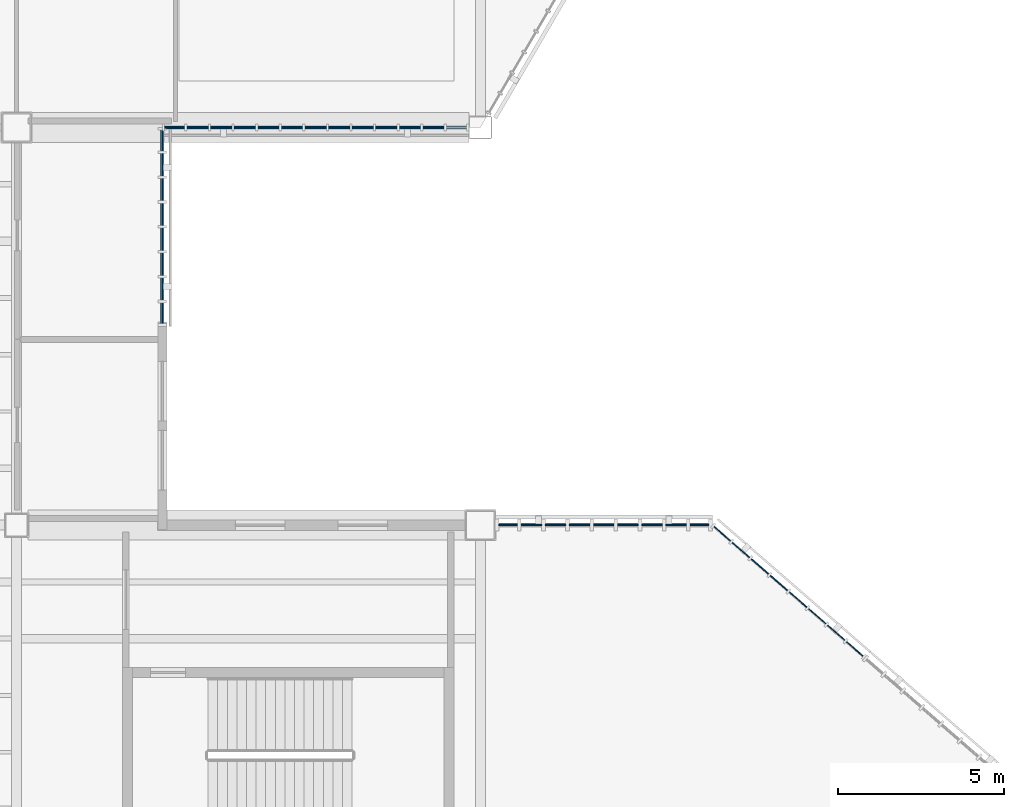
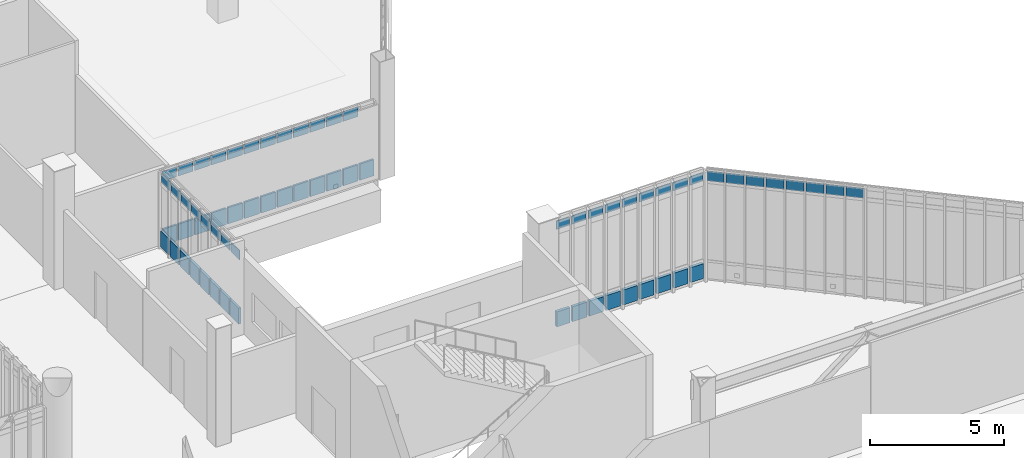
# One storey, part 109 of 135: 67 plates, 4 elements without a shape of their own.
"""IFC4 building model written with IfcOpenShell, lengths in metres."""

from ifc_helpers import new_model, si_unit, direction, frame, origin, origin_2d, place, context, subcontext, project, spatial, rectangle, extrude, material, layer, layer_set, type_object, element, aggregate, save


model = new_model("IFC4")

# Units and contexts
model_context = context("Model", 3, precision=1e-05, world=origin(), true_north=direction((0.0, 1.0)))
body_context = subcontext(model_context, "Body", "Model", "MODEL_VIEW")
ifc_project = project(units=[si_unit("LENGTHUNIT", "METRE"), si_unit("AREAUNIT", "SQUARE_METRE"), si_unit("VOLUMEUNIT", "CUBIC_METRE"), si_unit("PLANEANGLEUNIT", "RADIAN"), si_unit("MASSUNIT", "GRAM", prefix="KILO")], contexts=[model_context])

# Site, building, storey
site_placement = place(None, origin())
site = spatial("IfcSite", under=ifc_project, at=site_placement, CompositionType="ELEMENT")
building_placement = place(site_placement, origin())
building = spatial("IfcBuilding", under=site, at=building_placement, Name="Larkvane Passage Sports Hall", CompositionType="ELEMENT")
storey_placement = place(building_placement, frame((0.0, 0.0, 16.800048828125)))
storey = spatial("IfcBuildingStorey", under=building, at=storey_placement, Name="L03", CompositionType="ELEMENT", Elevation=16.800048828125)

# Curtain wall, plates
ifc_material_1 = material(Name="Thermally broken aluminium and low-E glazing", Category="aluminium")
curtain_wall_type_1 = type_object("IfcCurtainWallType", Name="CW-STICK-FOYER", PredefinedType="USERDEFINED", material=ifc_material_1)
curtain_wall_1_placement = place(storey_placement, origin())
curtain_wall_1 = element("IfcCurtainWall", 1, at=curtain_wall_1_placement, inside=storey, type_object=curtain_wall_type_1, Name="Curtain wall CW5-L03-110", ObjectType="STICK CURTAIN WALL", PredefinedType="USERDEFINED")
ifc_material_2 = material(Name="Fire-stopped shadow-box spandrel panel")
ifc_layer_1 = layer(ifc_material_2, 0.10498046875)
ifc_layer_set_1 = layer_set([ifc_layer_1], Name="Fire-stopped shadow-box spandrel panel")
plate_type_1 = type_object("IfcPlateType", Name="CWP-SPD-105", PredefinedType="CURTAIN_PANEL", material=ifc_layer_set_1)
plate_1_placement = place(storey_placement, frame((136.0, 63.205078125, 0.080078125), z_axis=(0.0, 0.0, 1.0), x_axis=(0.0, -1.0, 0.0)))
plate_1 = element("IfcPlate", 2, at=plate_1_placement, type_object=plate_type_1, Name="CW-03 panel 1.1", PredefinedType="CURTAIN_PANEL", context=body_context, shape_type="SweptSolid", body=[
    extrude(rectangle(XDim=0.6298828125, YDim=0.10498046875, at=origin_2d()), origin(), (0.0, 0.0, 1.0), 0.72998046875),
])
plate_2_placement = place(storey_placement, frame((136.0, 62.47509765625, 0.080078125), z_axis=(0.0, 0.0, 1.0), x_axis=(0.0, -1.0, 0.0)))
plate_2 = element("IfcPlate", 3, at=plate_2_placement, type_object=plate_type_1, Name="CW-03 panel 2.1", PredefinedType="CURTAIN_PANEL", context=body_context, shape_type="SweptSolid", body=[
    extrude(rectangle(XDim=0.669921875, YDim=0.10498046875, at=origin_2d()), origin(), (0.0, 0.0, 1.0), 0.72998046875),
])
plate_3_placement = place(storey_placement, frame((136.0, 61.72509765625, 0.080078125), z_axis=(0.0, 0.0, 1.0), x_axis=(0.0, -1.0, 0.0)))
plate_3 = element("IfcPlate", 4, at=plate_3_placement, type_object=plate_type_1, Name="CW-03 panel 3.1", PredefinedType="CURTAIN_PANEL", context=body_context, shape_type="SweptSolid", body=[
    extrude(rectangle(XDim=0.669921875, YDim=0.10498046875, at=origin_2d()), origin(), (0.0, 0.0, 1.0), 0.72998046875),
])
plate_4_placement = place(storey_placement, frame((136.0, 60.97509765625, 0.080078125), z_axis=(0.0, 0.0, 1.0), x_axis=(0.0, -1.0, 0.0)))
plate_4 = element("IfcPlate", 5, at=plate_4_placement, type_object=plate_type_1, Name="CW-03 panel 4.1", PredefinedType="CURTAIN_PANEL", context=body_context, shape_type="SweptSolid", body=[
    extrude(rectangle(XDim=0.669921875, YDim=0.10498046875, at=origin_2d()), origin(), (0.0, 0.0, 1.0), 0.72998046875),
])
plate_5_placement = place(storey_placement, frame((136.0, 60.22509765625, 0.080078125), z_axis=(0.0, 0.0, 1.0), x_axis=(0.0, -1.0, 0.0)))
plate_5 = element("IfcPlate", 6, at=plate_5_placement, type_object=plate_type_1, Name="CW-03 panel 5.1", PredefinedType="CURTAIN_PANEL", context=body_context, shape_type="SweptSolid", body=[
    extrude(rectangle(XDim=0.669921875, YDim=0.10498046875, at=origin_2d()), origin(), (0.0, 0.0, 1.0), 0.72998046875),
])
plate_6_placement = place(storey_placement, frame((136.0, 59.47509765625, 0.080078125), z_axis=(0.0, 0.0, 1.0), x_axis=(0.0, -1.0, 0.0)))
plate_6 = element("IfcPlate", 7, at=plate_6_placement, type_object=plate_type_1, Name="CW-03 panel 6.1", PredefinedType="CURTAIN_PANEL", context=body_context, shape_type="SweptSolid", body=[
    extrude(rectangle(XDim=0.669921875, YDim=0.10498046875, at=origin_2d()), origin(), (0.0, 0.0, 1.0), 0.72998046875),
])
plate_7_placement = place(storey_placement, frame((136.0, 58.72509765625, 0.080078125), z_axis=(0.0, 0.0, 1.0), x_axis=(0.0, -1.0, 0.0)))
plate_7 = element("IfcPlate", 8, at=plate_7_placement, type_object=plate_type_1, Name="CW-03 panel 7.1", PredefinedType="CURTAIN_PANEL", context=body_context, shape_type="SweptSolid", body=[
    extrude(rectangle(XDim=0.669921875, YDim=0.10498046875, at=origin_2d()), origin(), (0.0, 0.0, 1.0), 0.72998046875),
])
plate_8_placement = place(storey_placement, frame((136.0, 57.9951171875, 0.080078125), z_axis=(0.0, 0.0, 1.0), x_axis=(0.0, -1.0, 0.0)))
plate_8 = element("IfcPlate", 9, at=plate_8_placement, type_object=plate_type_1, Name="CW-03 panel 8.1", PredefinedType="CURTAIN_PANEL", context=body_context, shape_type="SweptSolid", body=[
    extrude(rectangle(XDim=0.6298828125, YDim=0.10498046875, at=origin_2d()), origin(), (0.0, 0.0, 1.0), 0.72998046875),
])

curtain_wall_type_2 = type_object("IfcCurtainWallType", Name="CW-CLINIC", PredefinedType="USERDEFINED", material=ifc_material_1)
curtain_wall_2_placement = place(storey_placement, origin())
curtain_wall_2 = element("IfcCurtainWall", 10, at=curtain_wall_2_placement, inside=storey, type_object=curtain_wall_type_2, Name="Curtain wall CW5-L03-111", ObjectType="UNITISED CURTAIN WALL", PredefinedType="USERDEFINED")
ifc_material_3 = material(Name="Deep insulated facade spandrel panel")
ifc_layer_2 = layer(ifc_material_3, 0.125)
ifc_layer_set_2 = layer_set([ifc_layer_2], Name="Deep insulated facade spandrel panel")
plate_type_2 = type_object("IfcPlateType", Name="CWP-SPD-125", PredefinedType="CURTAIN_PANEL", material=ifc_layer_set_2)
plate_9_placement = place(storey_placement, frame((146.4375, 51.60009765625, 0.10986328125), z_axis=(0.0, 0.0, 1.0), x_axis=(1.0, 0.0, 0.0)))
plate_9 = element("IfcPlate", 11, at=plate_9_placement, type_object=plate_type_2, Name="CW-05 panel 1.1", PredefinedType="CURTAIN_PANEL", context=body_context, shape_type="SweptSolid", body=[
    extrude(rectangle(XDim=0.563232421875, YDim=0.125, at=origin_2d()), origin(), (0.0, 0.0, 1.0), 0.68505859375),
])
plate_10_placement = place(storey_placement, frame((147.138427734375, 51.60009765625, 0.10986328125), z_axis=(0.0, 0.0, 1.0), x_axis=(1.0, 0.0, 0.0)))
plate_10 = element("IfcPlate", 12, at=plate_10_placement, type_object=plate_type_2, Name="CW-05 panel 2.1", PredefinedType="CURTAIN_PANEL", context=body_context, shape_type="SweptSolid", body=[
    extrude(rectangle(XDim=0.6181640625, YDim=0.125, at=origin_2d()), origin(), (0.0, 0.0, 1.0), 0.68505859375),
])
plate_11_placement = place(storey_placement, frame((147.866455078125, 51.60009765625, 0.10986328125), z_axis=(0.0, 0.0, 1.0), x_axis=(1.0, 0.0, 0.0)))
plate_11 = element("IfcPlate", 13, at=plate_11_placement, type_object=plate_type_2, Name="CW-05 panel 3.1", PredefinedType="CURTAIN_PANEL", context=body_context, shape_type="SweptSolid", body=[
    extrude(rectangle(XDim=0.6181640625, YDim=0.125, at=origin_2d()), origin(), (0.0, 0.0, 1.0), 0.68505859375),
])
plate_12_placement = place(storey_placement, frame((148.5947265625, 51.60009765625, 0.10986328125), z_axis=(0.0, 0.0, 1.0), x_axis=(1.0, 0.0, 0.0)))
plate_12 = element("IfcPlate", 14, at=plate_12_placement, type_object=plate_type_2, Name="CW-05 panel 4.1", PredefinedType="CURTAIN_PANEL", context=body_context, shape_type="SweptSolid", body=[
    extrude(rectangle(XDim=0.6181640625, YDim=0.125, at=origin_2d()), origin(), (0.0, 0.0, 1.0), 0.68505859375),
])
plate_13_placement = place(storey_placement, frame((149.322998046875, 51.60009765625, 0.10986328125), z_axis=(0.0, 0.0, 1.0), x_axis=(1.0, 0.0, 0.0)))
plate_13 = element("IfcPlate", 15, at=plate_13_placement, type_object=plate_type_2, Name="CW-05 panel 5.1", PredefinedType="CURTAIN_PANEL", context=body_context, shape_type="SweptSolid", body=[
    extrude(rectangle(XDim=0.6181640625, YDim=0.125, at=origin_2d()), origin(), (0.0, 0.0, 1.0), 0.68505859375),
])
plate_14_placement = place(storey_placement, frame((150.05126953125, 51.60009765625, 0.10986328125), z_axis=(0.0, 0.0, 1.0), x_axis=(1.0, 0.0, 0.0)))
plate_14 = element("IfcPlate", 16, at=plate_14_placement, type_object=plate_type_2, Name="CW-05 panel 6.1", PredefinedType="CURTAIN_PANEL", context=body_context, shape_type="SweptSolid", body=[
    extrude(rectangle(XDim=0.6181640625, YDim=0.125, at=origin_2d()), origin(), (0.0, 0.0, 1.0), 0.68505859375),
])
plate_15_placement = place(storey_placement, frame((150.779541015625, 51.60009765625, 0.10986328125), z_axis=(0.0, 0.0, 1.0), x_axis=(1.0, 0.0, 0.0)))
plate_15 = element("IfcPlate", 17, at=plate_15_placement, type_object=plate_type_2, Name="CW-05 panel 7.1", PredefinedType="CURTAIN_PANEL", context=body_context, shape_type="SweptSolid", body=[
    extrude(rectangle(XDim=0.6181640625, YDim=0.125, at=origin_2d()), origin(), (0.0, 0.0, 1.0), 0.68505859375),
])
plate_16_placement = place(storey_placement, frame((151.507568359375, 51.60009765625, 0.10986328125), z_axis=(0.0, 0.0, 1.0), x_axis=(1.0, 0.0, 0.0)))
plate_16 = element("IfcPlate", 18, at=plate_16_placement, type_object=plate_type_2, Name="CW-05 panel 8.1", PredefinedType="CURTAIN_PANEL", context=body_context, shape_type="SweptSolid", body=[
    extrude(rectangle(XDim=0.6181640625, YDim=0.125, at=origin_2d()), origin(), (0.0, 0.0, 1.0), 0.68505859375),
])
plate_17_placement = place(storey_placement, frame((152.20849609375, 51.60009765625, 0.10986328125), z_axis=(0.0, 0.0, 1.0), x_axis=(1.0, 0.0, 0.0)))
plate_17 = element("IfcPlate", 19, at=plate_17_placement, type_object=plate_type_2, Name="CW-05 panel 9.1", PredefinedType="CURTAIN_PANEL", context=body_context, shape_type="SweptSolid", body=[
    extrude(rectangle(XDim=0.563232421875, YDim=0.125, at=origin_2d()), origin(), (0.0, 0.0, 1.0), 0.68505859375),
])

curtain_wall_type_3 = type_object("IfcCurtainWallType", Name="CW-UNIT-VEIL", PredefinedType="USERDEFINED", material=ifc_material_1)
curtain_wall_3_placement = place(storey_placement, origin())
curtain_wall_3 = element("IfcCurtainWall", 20, at=curtain_wall_3_placement, inside=storey, type_object=curtain_wall_type_3, Name="Curtain wall CW5-L03-109", ObjectType="UNITISED CURTAIN WALL", PredefinedType="USERDEFINED")
ifc_material_4 = material(Name="Mineral-wool insulated spandrel cassette")
ifc_layer_3 = layer(ifc_material_4, 0.0849609375)
ifc_layer_set_3 = layer_set([ifc_layer_3], Name="Mineral-wool insulated spandrel cassette")
plate_type_3 = type_object("IfcPlateType", Name="CWP-SPD-85", PredefinedType="CURTAIN_PANEL", material=ifc_layer_set_3)
plate_18_placement = place(storey_placement, frame((144.880615234375, 63.60009765625, 0.06982421875), z_axis=(0.0, 0.0, 1.0), x_axis=(-1.0, 0.0, 0.0)))
plate_18 = element("IfcPlate", 21, at=plate_18_placement, type_object=plate_type_3, Name="CW-02 panel 1.1", PredefinedType="CURTAIN_PANEL", context=body_context, shape_type="SweptSolid", body=[
    extrude(rectangle(XDim=0.60693359375, YDim=0.0849609375, at=origin_2d()), origin(), (0.0, 0.0, 1.0), 0.7451171875),
])
plate_19_placement = place(storey_placement, frame((144.186279296875, 63.60009765625, 0.06982421875), z_axis=(0.0, 0.0, 1.0), x_axis=(-1.0, 0.0, 0.0)))
plate_19 = element("IfcPlate", 22, at=plate_19_placement, type_object=plate_type_3, Name="CW-02 panel 2.1", PredefinedType="CURTAIN_PANEL", context=body_context, shape_type="SweptSolid", body=[
    extrude(rectangle(XDim=0.641845703125, YDim=0.0849609375, at=origin_2d()), origin(), (0.0, 0.0, 1.0), 0.7451171875),
])
plate_20_placement = place(storey_placement, frame((143.474365234375, 63.60009765625, 0.06982421875), z_axis=(0.0, 0.0, 1.0), x_axis=(-1.0, 0.0, 0.0)))
plate_20 = element("IfcPlate", 23, at=plate_20_placement, type_object=plate_type_3, Name="CW-02 panel 3.1", PredefinedType="CURTAIN_PANEL", context=body_context, shape_type="SweptSolid", body=[
    extrude(rectangle(XDim=0.641845703125, YDim=0.0849609375, at=origin_2d()), origin(), (0.0, 0.0, 1.0), 0.7451171875),
])
plate_21_placement = place(storey_placement, frame((142.762451171875, 63.60009765625, 0.06982421875), z_axis=(0.0, 0.0, 1.0), x_axis=(-1.0, 0.0, 0.0)))
plate_21 = element("IfcPlate", 24, at=plate_21_placement, type_object=plate_type_3, Name="CW-02 panel 4.1", PredefinedType="CURTAIN_PANEL", context=body_context, shape_type="SweptSolid", body=[
    extrude(rectangle(XDim=0.641845703125, YDim=0.0849609375, at=origin_2d()), origin(), (0.0, 0.0, 1.0), 0.7451171875),
])
plate_22_placement = place(storey_placement, frame((142.05078125, 63.60009765625, 0.06982421875), z_axis=(0.0, 0.0, 1.0), x_axis=(-1.0, 0.0, 0.0)))
plate_22 = element("IfcPlate", 25, at=plate_22_placement, type_object=plate_type_3, Name="CW-02 panel 5.1", PredefinedType="CURTAIN_PANEL", context=body_context, shape_type="SweptSolid", body=[
    extrude(rectangle(XDim=0.641845703125, YDim=0.0849609375, at=origin_2d()), origin(), (0.0, 0.0, 1.0), 0.7451171875),
])
plate_23_placement = place(storey_placement, frame((141.3388671875, 63.60009765625, 0.06982421875), z_axis=(0.0, 0.0, 1.0), x_axis=(-1.0, 0.0, 0.0)))
plate_23 = element("IfcPlate", 26, at=plate_23_placement, type_object=plate_type_3, Name="CW-02 panel 6.1", PredefinedType="CURTAIN_PANEL", context=body_context, shape_type="SweptSolid", body=[
    extrude(rectangle(XDim=0.641845703125, YDim=0.0849609375, at=origin_2d()), origin(), (0.0, 0.0, 1.0), 0.7451171875),
])
plate_24_placement = place(storey_placement, frame((140.626953125, 63.60009765625, 0.06982421875), z_axis=(0.0, 0.0, 1.0), x_axis=(-1.0, 0.0, 0.0)))
plate_24 = element("IfcPlate", 27, at=plate_24_placement, type_object=plate_type_3, Name="CW-02 panel 7.1", PredefinedType="CURTAIN_PANEL", context=body_context, shape_type="SweptSolid", body=[
    extrude(rectangle(XDim=0.641845703125, YDim=0.0849609375, at=origin_2d()), origin(), (0.0, 0.0, 1.0), 0.7451171875),
])
plate_25_placement = place(storey_placement, frame((139.9150390625, 63.60009765625, 0.06982421875), z_axis=(0.0, 0.0, 1.0), x_axis=(-1.0, 0.0, 0.0)))
plate_25 = element("IfcPlate", 28, at=plate_25_placement, type_object=plate_type_3, Name="CW-02 panel 8.1", PredefinedType="CURTAIN_PANEL", context=body_context, shape_type="SweptSolid", body=[
    extrude(rectangle(XDim=0.641845703125, YDim=0.0849609375, at=origin_2d()), origin(), (0.0, 0.0, 1.0), 0.7451171875),
])
plate_26_placement = place(storey_placement, frame((139.203369140625, 63.60009765625, 0.06982421875), z_axis=(0.0, 0.0, 1.0), x_axis=(-1.0, 0.0, 0.0)))
plate_26 = element("IfcPlate", 29, at=plate_26_placement, type_object=plate_type_3, Name="CW-02 panel 9.1", PredefinedType="CURTAIN_PANEL", context=body_context, shape_type="SweptSolid", body=[
    extrude(rectangle(XDim=0.641845703125, YDim=0.0849609375, at=origin_2d()), origin(), (0.0, 0.0, 1.0), 0.7451171875),
])
plate_27_placement = place(storey_placement, frame((138.491455078125, 63.60009765625, 0.06982421875), z_axis=(0.0, 0.0, 1.0), x_axis=(-1.0, 0.0, 0.0)))
plate_27 = element("IfcPlate", 30, at=plate_27_placement, type_object=plate_type_3, Name="CW-02 panel 10.1", PredefinedType="CURTAIN_PANEL", context=body_context, shape_type="SweptSolid", body=[
    extrude(rectangle(XDim=0.641845703125, YDim=0.0849609375, at=origin_2d()), origin(), (0.0, 0.0, 1.0), 0.7451171875),
])
plate_28_placement = place(storey_placement, frame((137.779541015625, 63.60009765625, 0.06982421875), z_axis=(0.0, 0.0, 1.0), x_axis=(-1.0, 0.0, 0.0)))
plate_28 = element("IfcPlate", 31, at=plate_28_placement, type_object=plate_type_3, Name="CW-02 panel 11.1", PredefinedType="CURTAIN_PANEL", context=body_context, shape_type="SweptSolid", body=[
    extrude(rectangle(XDim=0.641845703125, YDim=0.0849609375, at=origin_2d()), origin(), (0.0, 0.0, 1.0), 0.7451171875),
])
plate_29_placement = place(storey_placement, frame((137.06787109375, 63.60009765625, 0.06982421875), z_axis=(0.0, 0.0, 1.0), x_axis=(-1.0, 0.0, 0.0)))
plate_29 = element("IfcPlate", 32, at=plate_29_placement, type_object=plate_type_3, Name="CW-02 panel 12.1", PredefinedType="CURTAIN_PANEL", context=body_context, shape_type="SweptSolid", body=[
    extrude(rectangle(XDim=0.641845703125, YDim=0.0849609375, at=origin_2d()), origin(), (0.0, 0.0, 1.0), 0.7451171875),
])
plate_30_placement = place(storey_placement, frame((136.37353515625, 63.60009765625, 0.06982421875), z_axis=(0.0, 0.0, 1.0), x_axis=(-1.0, 0.0, 0.0)))
plate_30 = element("IfcPlate", 33, at=plate_30_placement, type_object=plate_type_3, Name="CW-02 panel 13.1", PredefinedType="CURTAIN_PANEL", context=body_context, shape_type="SweptSolid", body=[
    extrude(rectangle(XDim=0.60693359375, YDim=0.0849609375, at=origin_2d()), origin(), (0.0, 0.0, 1.0), 0.7451171875),
])

curtain_wall_type_4 = type_object("IfcCurtainWallType", Name="CW-UNIT-COURT", PredefinedType="USERDEFINED", material=ifc_material_1)
curtain_wall_4_placement = place(storey_placement, origin())
curtain_wall_4 = element("IfcCurtainWall", 34, at=curtain_wall_4_placement, inside=storey, type_object=curtain_wall_type_4, Name="Curtain wall CW5-L03-112", ObjectType="UNITISED CURTAIN WALL", PredefinedType="USERDEFINED")
ifc_material_5 = material(Name="Solar-control low-E double glazing", Category="glass")
ifc_layer_4 = layer(ifc_material_5, 0.028076171875)
ifc_layer_set_4 = layer_set([ifc_layer_4], Name="Solar-control low-E double glazing")
plate_type_4 = type_object("IfcPlateType", Name="CWP-VIS-28", PredefinedType="CURTAIN_PANEL", material=ifc_layer_set_4)
plate_31_placement = place(storey_placement, frame((152.899658203125, 51.33935546875, 4.5126953125), z_axis=(0.0, 0.0, 1.0), x_axis=(0.754605522159, -0.65617871493, 0.0)))
plate_31 = element("IfcPlate", 35, at=plate_31_placement, type_object=plate_type_4, Name="CW-01 panel 1.3", PredefinedType="CURTAIN_PANEL", context=body_context, shape_type="SweptSolid", body=[
    extrude(rectangle(XDim=0.66455078125, YDim=0.028076171875, at=origin_2d()), origin(), (0.0, 0.0, 1.0), 0.452392578125),
])
plate_32_placement = place(storey_placement, frame((153.46240234375, 50.85009765625, 4.5126953125), z_axis=(0.0, 0.0, 1.0), x_axis=(0.754605522159, -0.65617871493, 0.0)))
plate_32 = element("IfcPlate", 36, at=plate_32_placement, type_object=plate_type_4, Name="CW-01 panel 2.3", PredefinedType="CURTAIN_PANEL", context=body_context, shape_type="SweptSolid", body=[
    extrude(rectangle(XDim=0.697021484375, YDim=0.028076171875, at=origin_2d()), origin(), (0.0, 0.0, 1.0), 0.452392578125),
])
plate_33_placement = place(storey_placement, frame((154.03759765625, 50.35009765625, 4.5126953125), z_axis=(0.0, 0.0, 1.0), x_axis=(0.754605522159, -0.65617871493, 0.0)))
plate_33 = element("IfcPlate", 37, at=plate_33_placement, type_object=plate_type_4, Name="CW-01 panel 3.3", PredefinedType="CURTAIN_PANEL", context=body_context, shape_type="SweptSolid", body=[
    extrude(rectangle(XDim=0.697021484375, YDim=0.028076171875, at=origin_2d()), origin(), (0.0, 0.0, 1.0), 0.452392578125),
])
plate_34_placement = place(storey_placement, frame((154.612548828125, 49.85009765625, 4.5126953125), z_axis=(0.0, 0.0, 1.0), x_axis=(0.754605522159, -0.65617871493, 0.0)))
plate_34 = element("IfcPlate", 38, at=plate_34_placement, type_object=plate_type_4, Name="CW-01 panel 4.3", PredefinedType="CURTAIN_PANEL", context=body_context, shape_type="SweptSolid", body=[
    extrude(rectangle(XDim=0.697021484375, YDim=0.028076171875, at=origin_2d()), origin(), (0.0, 0.0, 1.0), 0.452392578125),
])
plate_35_placement = place(storey_placement, frame((155.1875, 49.35009765625, 4.5126953125), z_axis=(0.0, 0.0, 1.0), x_axis=(0.754605522159, -0.65617871493, 0.0)))
plate_35 = element("IfcPlate", 39, at=plate_35_placement, type_object=plate_type_4, Name="CW-01 panel 5.3", PredefinedType="CURTAIN_PANEL", context=body_context, shape_type="SweptSolid", body=[
    extrude(rectangle(XDim=0.697021484375, YDim=0.028076171875, at=origin_2d()), origin(), (0.0, 0.0, 1.0), 0.452392578125),
])
plate_36_placement = place(storey_placement, frame((155.762451171875, 48.85009765625, 4.5126953125), z_axis=(0.0, 0.0, 1.0), x_axis=(0.754605522159, -0.65617871493, 0.0)))
plate_36 = element("IfcPlate", 40, at=plate_36_placement, type_object=plate_type_4, Name="CW-01 panel 6.3", PredefinedType="CURTAIN_PANEL", context=body_context, shape_type="SweptSolid", body=[
    extrude(rectangle(XDim=0.697021484375, YDim=0.028076171875, at=origin_2d()), origin(), (0.0, 0.0, 1.0), 0.452392578125),
])
plate_37_placement = place(storey_placement, frame((156.33740234375, 48.35009765625, 4.5126953125), z_axis=(0.0, 0.0, 1.0), x_axis=(0.754605522159, -0.65617871493, 0.0)))
plate_37 = element("IfcPlate", 41, at=plate_37_placement, type_object=plate_type_4, Name="CW-01 panel 7.3", PredefinedType="CURTAIN_PANEL", context=body_context, shape_type="SweptSolid", body=[
    extrude(rectangle(XDim=0.697021484375, YDim=0.028076171875, at=origin_2d()), origin(), (0.0, 0.0, 1.0), 0.452392578125),
])
plate_38_placement = place(storey_placement, frame((156.900146484375, 47.860595703125, 4.5126953125), z_axis=(0.0, 0.0, 1.0), x_axis=(0.754605522159, -0.65617871493, 0.0)))
plate_38 = element("IfcPlate", 42, at=plate_38_placement, type_object=plate_type_4, Name="CW-01 panel 8.3", PredefinedType="CURTAIN_PANEL", context=body_context, shape_type="SweptSolid", body=[
    extrude(rectangle(XDim=0.66455078125, YDim=0.028076171875, at=origin_2d()), origin(), (0.0, 0.0, 1.0), 0.452392578125),
])
aggregate(curtain_wall_4, [plate_31, plate_32, plate_33, plate_34, plate_35, plate_36, plate_37, plate_38])

# Plate
ifc_material_6 = material(Name="Laminated acoustic low-E glazing", Category="glass")
ifc_layer_5 = layer(ifc_material_6, 0.031982421875)
ifc_layer_set_5 = layer_set([ifc_layer_5], Name="Laminated acoustic low-E glazing")
plate_type_5 = type_object("IfcPlateType", Name="CWP-VIS-32", PredefinedType="CURTAIN_PANEL", material=ifc_layer_set_5)
plate_39_placement = place(storey_placement, frame((144.186279296875, 63.60009765625, 2.99267578125), z_axis=(0.0, 0.0, 1.0), x_axis=(-1.0, 0.0, 0.0)))
plate_39 = element("IfcPlate", 43, at=plate_39_placement, type_object=plate_type_5, Name="CW-02 panel 2.3", PredefinedType="CURTAIN_PANEL", context=body_context, shape_type="SweptSolid", body=[
    extrude(rectangle(XDim=0.641845703125, YDim=0.031982421875, at=origin_2d()), origin(), (0.0, 0.0, 1.0), 0.445068359375),
])

plate_40_placement = place(storey_placement, frame((143.474365234375, 63.60009765625, 2.99267578125), z_axis=(0.0, 0.0, 1.0), x_axis=(-1.0, 0.0, 0.0)))
plate_40 = element("IfcPlate", 44, at=plate_40_placement, type_object=plate_type_5, Name="CW-02 panel 3.3", PredefinedType="CURTAIN_PANEL", context=body_context, shape_type="SweptSolid", body=[
    extrude(rectangle(XDim=0.641845703125, YDim=0.031982421875, at=origin_2d()), origin(), (0.0, 0.0, 1.0), 0.445068359375),
])

plate_41_placement = place(storey_placement, frame((142.762451171875, 63.60009765625, 2.99267578125), z_axis=(0.0, 0.0, 1.0), x_axis=(-1.0, 0.0, 0.0)))
plate_41 = element("IfcPlate", 45, at=plate_41_placement, type_object=plate_type_5, Name="CW-02 panel 4.3", PredefinedType="CURTAIN_PANEL", context=body_context, shape_type="SweptSolid", body=[
    extrude(rectangle(XDim=0.641845703125, YDim=0.031982421875, at=origin_2d()), origin(), (0.0, 0.0, 1.0), 0.445068359375),
])

plate_42_placement = place(storey_placement, frame((142.05078125, 63.60009765625, 2.99267578125), z_axis=(0.0, 0.0, 1.0), x_axis=(-1.0, 0.0, 0.0)))
plate_42 = element("IfcPlate", 46, at=plate_42_placement, type_object=plate_type_5, Name="CW-02 panel 5.3", PredefinedType="CURTAIN_PANEL", context=body_context, shape_type="SweptSolid", body=[
    extrude(rectangle(XDim=0.641845703125, YDim=0.031982421875, at=origin_2d()), origin(), (0.0, 0.0, 1.0), 0.445068359375),
])

plate_43_placement = place(storey_placement, frame((141.3388671875, 63.60009765625, 2.99267578125), z_axis=(0.0, 0.0, 1.0), x_axis=(-1.0, 0.0, 0.0)))
plate_43 = element("IfcPlate", 47, at=plate_43_placement, type_object=plate_type_5, Name="CW-02 panel 6.3", PredefinedType="CURTAIN_PANEL", context=body_context, shape_type="SweptSolid", body=[
    extrude(rectangle(XDim=0.641845703125, YDim=0.031982421875, at=origin_2d()), origin(), (0.0, 0.0, 1.0), 0.445068359375),
])

plate_44_placement = place(storey_placement, frame((140.626953125, 63.60009765625, 2.99267578125), z_axis=(0.0, 0.0, 1.0), x_axis=(-1.0, 0.0, 0.0)))
plate_44 = element("IfcPlate", 48, at=plate_44_placement, type_object=plate_type_5, Name="CW-02 panel 7.3", PredefinedType="CURTAIN_PANEL", context=body_context, shape_type="SweptSolid", body=[
    extrude(rectangle(XDim=0.641845703125, YDim=0.031982421875, at=origin_2d()), origin(), (0.0, 0.0, 1.0), 0.445068359375),
])

plate_45_placement = place(storey_placement, frame((139.9150390625, 63.60009765625, 2.99267578125), z_axis=(0.0, 0.0, 1.0), x_axis=(-1.0, 0.0, 0.0)))
plate_45 = element("IfcPlate", 49, at=plate_45_placement, type_object=plate_type_5, Name="CW-02 panel 8.3", PredefinedType="CURTAIN_PANEL", context=body_context, shape_type="SweptSolid", body=[
    extrude(rectangle(XDim=0.641845703125, YDim=0.031982421875, at=origin_2d()), origin(), (0.0, 0.0, 1.0), 0.445068359375),
])

plate_46_placement = place(storey_placement, frame((139.203369140625, 63.60009765625, 2.99267578125), z_axis=(0.0, 0.0, 1.0), x_axis=(-1.0, 0.0, 0.0)))
plate_46 = element("IfcPlate", 50, at=plate_46_placement, type_object=plate_type_5, Name="CW-02 panel 9.3", PredefinedType="CURTAIN_PANEL", context=body_context, shape_type="SweptSolid", body=[
    extrude(rectangle(XDim=0.641845703125, YDim=0.031982421875, at=origin_2d()), origin(), (0.0, 0.0, 1.0), 0.445068359375),
])

plate_47_placement = place(storey_placement, frame((138.491455078125, 63.60009765625, 2.99267578125), z_axis=(0.0, 0.0, 1.0), x_axis=(-1.0, 0.0, 0.0)))
plate_47 = element("IfcPlate", 51, at=plate_47_placement, type_object=plate_type_5, Name="CW-02 panel 10.3", PredefinedType="CURTAIN_PANEL", context=body_context, shape_type="SweptSolid", body=[
    extrude(rectangle(XDim=0.641845703125, YDim=0.031982421875, at=origin_2d()), origin(), (0.0, 0.0, 1.0), 0.445068359375),
])

plate_48_placement = place(storey_placement, frame((137.779541015625, 63.60009765625, 2.99267578125), z_axis=(0.0, 0.0, 1.0), x_axis=(-1.0, 0.0, 0.0)))
plate_48 = element("IfcPlate", 52, at=plate_48_placement, type_object=plate_type_5, Name="CW-02 panel 11.3", PredefinedType="CURTAIN_PANEL", context=body_context, shape_type="SweptSolid", body=[
    extrude(rectangle(XDim=0.641845703125, YDim=0.031982421875, at=origin_2d()), origin(), (0.0, 0.0, 1.0), 0.445068359375),
])

plate_49_placement = place(storey_placement, frame((137.06787109375, 63.60009765625, 2.99267578125), z_axis=(0.0, 0.0, 1.0), x_axis=(-1.0, 0.0, 0.0)))
plate_49 = element("IfcPlate", 53, at=plate_49_placement, type_object=plate_type_5, Name="CW-02 panel 12.3", PredefinedType="CURTAIN_PANEL", context=body_context, shape_type="SweptSolid", body=[
    extrude(rectangle(XDim=0.641845703125, YDim=0.031982421875, at=origin_2d()), origin(), (0.0, 0.0, 1.0), 0.445068359375),
])

plate_50_placement = place(storey_placement, frame((136.37353515625, 63.60009765625, 2.99267578125), z_axis=(0.0, 0.0, 1.0), x_axis=(-1.0, 0.0, 0.0)))
plate_50 = element("IfcPlate", 54, at=plate_50_placement, type_object=plate_type_5, Name="CW-02 panel 13.3", PredefinedType="CURTAIN_PANEL", context=body_context, shape_type="SweptSolid", body=[
    extrude(rectangle(XDim=0.60693359375, YDim=0.031982421875, at=origin_2d()), origin(), (0.0, 0.0, 1.0), 0.445068359375),
])

aggregate(curtain_wall_3, [plate_18, plate_19, plate_39, plate_20, plate_40, plate_21, plate_41, plate_22, plate_42, plate_23, plate_43, plate_24, plate_44, plate_25, plate_45, plate_26, plate_46, plate_27, plate_47, plate_28, plate_48, plate_29, plate_49, plate_30, plate_50])

ifc_material_7 = material(Name="High-impact court low-E glazing", Category="glass")
ifc_layer_6 = layer(ifc_material_7, 0.035888671875)
ifc_layer_set_6 = layer_set([ifc_layer_6], Name="High-impact court low-E glazing")
plate_type_6 = type_object("IfcPlateType", Name="CWP-VIS-36", PredefinedType="CURTAIN_PANEL", material=ifc_layer_set_6)
plate_51_placement = place(storey_placement, frame((136.0, 63.205078125, 2.998046875), z_axis=(0.0, 0.0, 1.0), x_axis=(0.0, -1.0, 0.0)))
plate_51 = element("IfcPlate", 55, at=plate_51_placement, type_object=plate_type_6, Name="CW-03 panel 1.3", PredefinedType="CURTAIN_PANEL", context=body_context, shape_type="SweptSolid", body=[
    extrude(rectangle(XDim=0.6298828125, YDim=0.035888671875, at=origin_2d()), origin(), (0.0, 0.0, 1.0), 0.429931640625),
])

plate_52_placement = place(storey_placement, frame((136.0, 62.47509765625, 2.998046875), z_axis=(0.0, 0.0, 1.0), x_axis=(0.0, -1.0, 0.0)))
plate_52 = element("IfcPlate", 56, at=plate_52_placement, type_object=plate_type_6, Name="CW-03 panel 2.3", PredefinedType="CURTAIN_PANEL", context=body_context, shape_type="SweptSolid", body=[
    extrude(rectangle(XDim=0.669921875, YDim=0.035888671875, at=origin_2d()), origin(), (0.0, 0.0, 1.0), 0.429931640625),
])

plate_53_placement = place(storey_placement, frame((136.0, 61.72509765625, 2.998046875), z_axis=(0.0, 0.0, 1.0), x_axis=(0.0, -1.0, 0.0)))
plate_53 = element("IfcPlate", 57, at=plate_53_placement, type_object=plate_type_6, Name="CW-03 panel 3.3", PredefinedType="CURTAIN_PANEL", context=body_context, shape_type="SweptSolid", body=[
    extrude(rectangle(XDim=0.669921875, YDim=0.035888671875, at=origin_2d()), origin(), (0.0, 0.0, 1.0), 0.429931640625),
])

plate_54_placement = place(storey_placement, frame((136.0, 60.97509765625, 2.998046875), z_axis=(0.0, 0.0, 1.0), x_axis=(0.0, -1.0, 0.0)))
plate_54 = element("IfcPlate", 58, at=plate_54_placement, type_object=plate_type_6, Name="CW-03 panel 4.3", PredefinedType="CURTAIN_PANEL", context=body_context, shape_type="SweptSolid", body=[
    extrude(rectangle(XDim=0.669921875, YDim=0.035888671875, at=origin_2d()), origin(), (0.0, 0.0, 1.0), 0.429931640625),
])

plate_55_placement = place(storey_placement, frame((136.0, 60.22509765625, 2.998046875), z_axis=(0.0, 0.0, 1.0), x_axis=(0.0, -1.0, 0.0)))
plate_55 = element("IfcPlate", 59, at=plate_55_placement, type_object=plate_type_6, Name="CW-03 panel 5.3", PredefinedType="CURTAIN_PANEL", context=body_context, shape_type="SweptSolid", body=[
    extrude(rectangle(XDim=0.669921875, YDim=0.035888671875, at=origin_2d()), origin(), (0.0, 0.0, 1.0), 0.429931640625),
])

plate_56_placement = place(storey_placement, frame((136.0, 59.47509765625, 2.998046875), z_axis=(0.0, 0.0, 1.0), x_axis=(0.0, -1.0, 0.0)))
plate_56 = element("IfcPlate", 60, at=plate_56_placement, type_object=plate_type_6, Name="CW-03 panel 6.3", PredefinedType="CURTAIN_PANEL", context=body_context, shape_type="SweptSolid", body=[
    extrude(rectangle(XDim=0.669921875, YDim=0.035888671875, at=origin_2d()), origin(), (0.0, 0.0, 1.0), 0.429931640625),
])

plate_57_placement = place(storey_placement, frame((136.0, 58.72509765625, 2.998046875), z_axis=(0.0, 0.0, 1.0), x_axis=(0.0, -1.0, 0.0)))
plate_57 = element("IfcPlate", 61, at=plate_57_placement, type_object=plate_type_6, Name="CW-03 panel 7.3", PredefinedType="CURTAIN_PANEL", context=body_context, shape_type="SweptSolid", body=[
    extrude(rectangle(XDim=0.669921875, YDim=0.035888671875, at=origin_2d()), origin(), (0.0, 0.0, 1.0), 0.429931640625),
])

plate_58_placement = place(storey_placement, frame((136.0, 57.9951171875, 2.998046875), z_axis=(0.0, 0.0, 1.0), x_axis=(0.0, -1.0, 0.0)))
plate_58 = element("IfcPlate", 62, at=plate_58_placement, type_object=plate_type_6, Name="CW-03 panel 8.3", PredefinedType="CURTAIN_PANEL", context=body_context, shape_type="SweptSolid", body=[
    extrude(rectangle(XDim=0.6298828125, YDim=0.035888671875, at=origin_2d()), origin(), (0.0, 0.0, 1.0), 0.429931640625),
])

aggregate(curtain_wall_1, [plate_1, plate_51, plate_2, plate_52, plate_3, plate_53, plate_4, plate_54, plate_5, plate_55, plate_6, plate_56, plate_7, plate_57, plate_8, plate_58])

ifc_material_8 = material(Name="Triple-laminated typhoon glazing", Category="glass")
ifc_layer_7 = layer(ifc_material_8, 0.0419921875)
ifc_layer_set_7 = layer_set([ifc_layer_7], Name="Triple-laminated typhoon glazing")
plate_type_7 = type_object("IfcPlateType", Name="CWP-VIS-42", PredefinedType="CURTAIN_PANEL", material=ifc_layer_set_7)
plate_59_placement = place(storey_placement, frame((146.4375, 51.60009765625, 4.53515625), z_axis=(0.0, 0.0, 1.0), x_axis=(1.0, 0.0, 0.0)))
plate_59 = element("IfcPlate", 63, at=plate_59_placement, type_object=plate_type_7, Name="CW-05 panel 1.3", PredefinedType="CURTAIN_PANEL", context=body_context, shape_type="SweptSolid", body=[
    extrude(rectangle(XDim=0.563232421875, YDim=0.0419921875, at=origin_2d()), origin(), (0.0, 0.0, 1.0), 0.385009765625),
])

plate_60_placement = place(storey_placement, frame((147.138427734375, 51.60009765625, 4.53515625), z_axis=(0.0, 0.0, 1.0), x_axis=(1.0, 0.0, 0.0)))
plate_60 = element("IfcPlate", 64, at=plate_60_placement, type_object=plate_type_7, Name="CW-05 panel 2.3", PredefinedType="CURTAIN_PANEL", context=body_context, shape_type="SweptSolid", body=[
    extrude(rectangle(XDim=0.6181640625, YDim=0.0419921875, at=origin_2d()), origin(), (0.0, 0.0, 1.0), 0.385009765625),
])

plate_61_placement = place(storey_placement, frame((147.866455078125, 51.60009765625, 4.53515625), z_axis=(0.0, 0.0, 1.0), x_axis=(1.0, 0.0, 0.0)))
plate_61 = element("IfcPlate", 65, at=plate_61_placement, type_object=plate_type_7, Name="CW-05 panel 3.3", PredefinedType="CURTAIN_PANEL", context=body_context, shape_type="SweptSolid", body=[
    extrude(rectangle(XDim=0.6181640625, YDim=0.0419921875, at=origin_2d()), origin(), (0.0, 0.0, 1.0), 0.385009765625),
])

plate_62_placement = place(storey_placement, frame((148.5947265625, 51.60009765625, 4.53515625), z_axis=(0.0, 0.0, 1.0), x_axis=(1.0, 0.0, 0.0)))
plate_62 = element("IfcPlate", 66, at=plate_62_placement, type_object=plate_type_7, Name="CW-05 panel 4.3", PredefinedType="CURTAIN_PANEL", context=body_context, shape_type="SweptSolid", body=[
    extrude(rectangle(XDim=0.6181640625, YDim=0.0419921875, at=origin_2d()), origin(), (0.0, 0.0, 1.0), 0.385009765625),
])

plate_63_placement = place(storey_placement, frame((149.322998046875, 51.60009765625, 4.53515625), z_axis=(0.0, 0.0, 1.0), x_axis=(1.0, 0.0, 0.0)))
plate_63 = element("IfcPlate", 67, at=plate_63_placement, type_object=plate_type_7, Name="CW-05 panel 5.3", PredefinedType="CURTAIN_PANEL", context=body_context, shape_type="SweptSolid", body=[
    extrude(rectangle(XDim=0.6181640625, YDim=0.0419921875, at=origin_2d()), origin(), (0.0, 0.0, 1.0), 0.385009765625),
])

plate_64_placement = place(storey_placement, frame((150.05126953125, 51.60009765625, 4.53515625), z_axis=(0.0, 0.0, 1.0), x_axis=(1.0, 0.0, 0.0)))
plate_64 = element("IfcPlate", 68, at=plate_64_placement, type_object=plate_type_7, Name="CW-05 panel 6.3", PredefinedType="CURTAIN_PANEL", context=body_context, shape_type="SweptSolid", body=[
    extrude(rectangle(XDim=0.6181640625, YDim=0.0419921875, at=origin_2d()), origin(), (0.0, 0.0, 1.0), 0.385009765625),
])

plate_65_placement = place(storey_placement, frame((150.779541015625, 51.60009765625, 4.53515625), z_axis=(0.0, 0.0, 1.0), x_axis=(1.0, 0.0, 0.0)))
plate_65 = element("IfcPlate", 69, at=plate_65_placement, type_object=plate_type_7, Name="CW-05 panel 7.3", PredefinedType="CURTAIN_PANEL", context=body_context, shape_type="SweptSolid", body=[
    extrude(rectangle(XDim=0.6181640625, YDim=0.0419921875, at=origin_2d()), origin(), (0.0, 0.0, 1.0), 0.385009765625),
])

plate_66_placement = place(storey_placement, frame((151.507568359375, 51.60009765625, 4.53515625), z_axis=(0.0, 0.0, 1.0), x_axis=(1.0, 0.0, 0.0)))
plate_66 = element("IfcPlate", 70, at=plate_66_placement, type_object=plate_type_7, Name="CW-05 panel 8.3", PredefinedType="CURTAIN_PANEL", context=body_context, shape_type="SweptSolid", body=[
    extrude(rectangle(XDim=0.6181640625, YDim=0.0419921875, at=origin_2d()), origin(), (0.0, 0.0, 1.0), 0.385009765625),
])

plate_67_placement = place(storey_placement, frame((152.20849609375, 51.60009765625, 4.53515625), z_axis=(0.0, 0.0, 1.0), x_axis=(1.0, 0.0, 0.0)))
plate_67 = element("IfcPlate", 71, at=plate_67_placement, type_object=plate_type_7, Name="CW-05 panel 9.3", PredefinedType="CURTAIN_PANEL", context=body_context, shape_type="SweptSolid", body=[
    extrude(rectangle(XDim=0.563232421875, YDim=0.0419921875, at=origin_2d()), origin(), (0.0, 0.0, 1.0), 0.385009765625),
])

aggregate(curtain_wall_2, [plate_9, plate_59, plate_10, plate_60, plate_11, plate_61, plate_12, plate_62, plate_13, plate_63, plate_14, plate_64, plate_15, plate_65, plate_16, plate_66, plate_17, plate_67])

save(model, "model.ifc")
